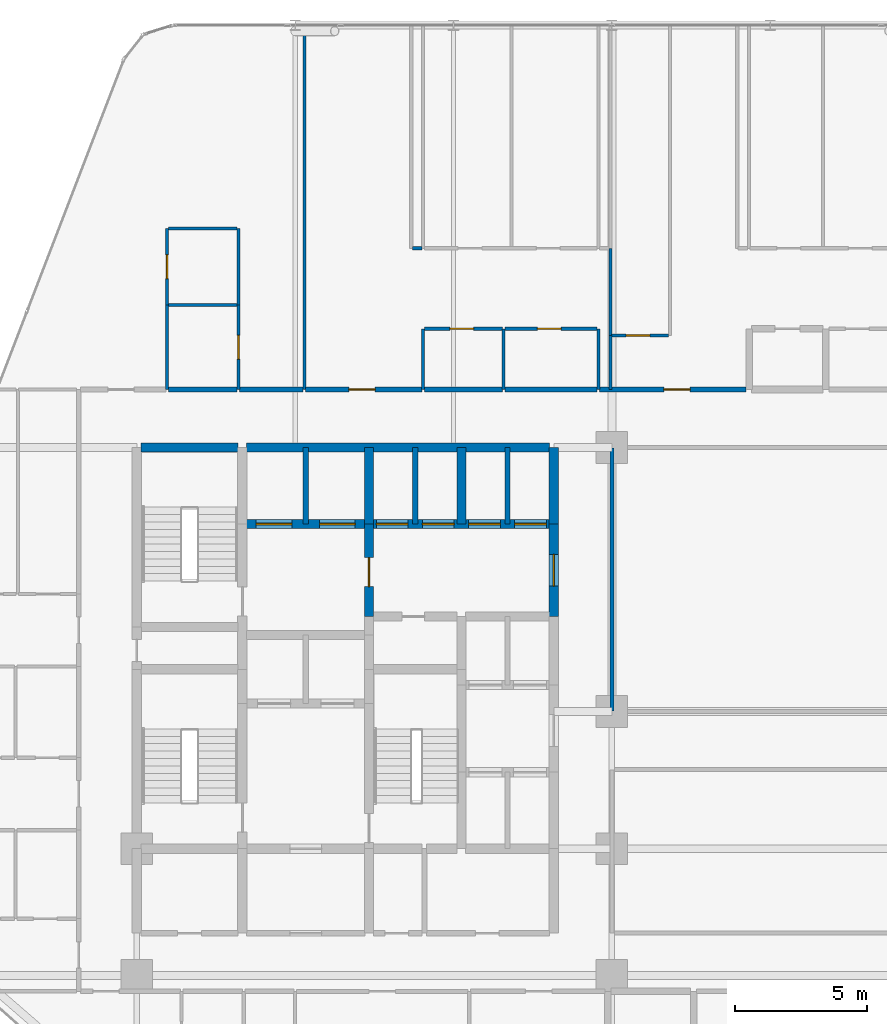
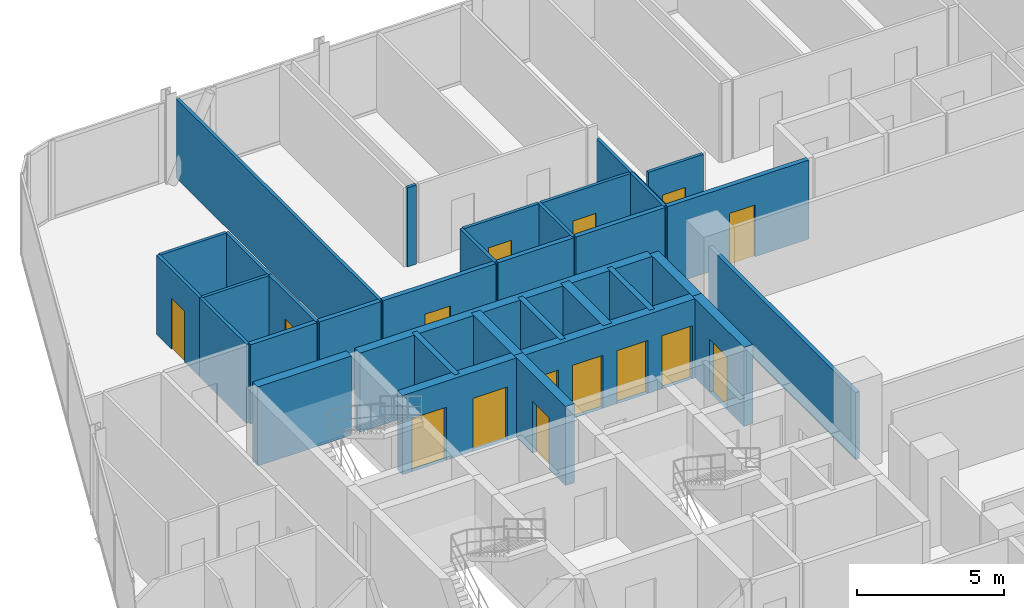
# One storey, part 30 of 33: 34 walls, 15 doors, 15 openings.
"""IFC4 building model written with IfcOpenShell, lengths in metres."""

import ifcopenshell
import ifcopenshell.guid

model = None  # the IFC model being written
_history = None  # IfcOwnerHistory: only IFC2X3 demands one
_inside = {}  # id of a spatial element -> (the spatial element, [elements in it])
_under = {}  # id of a project, library or spatial element -> (it, [spatial elements below it])
_declared = {}  # id of a project -> (the project, [libraries it declares])
_typed = {}  # id of a type object -> (the type object, [elements of that type])
_made_of = {}  # id of a material, layer set ... -> (it, [elements and type objects made of it])


def new_model(schema):
    """Start an empty IFC model of exactly this schema.

    Asked for "IFC4X3", IfcOpenShell would pick the latest addendum, in which some entities
    have other attributes; the version numbers below select the first issue.
    IFC2X3 requires an IfcOwnerHistory on every rooted entity: one is made here for all.
    """
    global model, _history
    if schema == "IFC4X3":
        model = ifcopenshell.file(schema_version=(4, 3, 0, 0))
    else:
        model = ifcopenshell.file(schema=schema)
    _inside.clear()
    _under.clear()
    _declared.clear()
    _typed.clear()
    _made_of.clear()
    _history = None
    if model.schema == "IFC2X3":
        org = make("IfcOrganization", Name="unknown")
        user = make(
            "IfcPersonAndOrganization",
            ThePerson=make("IfcPerson", FamilyName="unknown"),
            TheOrganization=org,
        )
        app = make(
            "IfcApplication",
            ApplicationDeveloper=org,
            Version="unknown",
            ApplicationFullName="unknown",
            ApplicationIdentifier="unknown",
        )
        _history = make(
            "IfcOwnerHistory",
            OwningUser=user,
            OwningApplication=app,
            ChangeAction="ADDED",
            CreationDate=0,
        )
    return model


def make(cls, **values):
    """One entity of the class cls with the attributes given. An attribute that is None is left unset."""
    return model.create_entity(
        cls, **{name: value for name, value in values.items() if value is not None}
    )


def rooted(cls, **values):
    """An entity with a GlobalId (a new one), such as an element, a storey or a relation."""
    return make(cls, GlobalId=ifcopenshell.guid.new(), OwnerHistory=_history, **values)


def si_unit(unit_type, name, prefix=None):
    """IfcSIUnit, for example si_unit("LENGTHUNIT", "METRE", prefix="MILLI")."""
    return make("IfcSIUnit", UnitType=unit_type, Prefix=prefix, Name=name)


def assignment(units):
    """IfcUnitAssignment: the units of a project."""
    return None if units is None else make("IfcUnitAssignment", Units=units)


def point(xyz):
    """IfcCartesianPoint."""
    return None if xyz is None else make("IfcCartesianPoint", Coordinates=xyz)


def direction(xyz):
    """IfcDirection."""
    return None if xyz is None else make("IfcDirection", DirectionRatios=xyz)


def frame(location, z_axis=None, x_axis=None):
    """IfcAxis2Placement3D, a coordinate frame: its origin and axes. An axis left out is left unset."""
    return make(
        "IfcAxis2Placement3D",
        Location=point(location),
        Axis=direction(z_axis),
        RefDirection=direction(x_axis),
    )


def frame_2d(location, x_axis=None):
    """IfcAxis2Placement2D, a coordinate frame in the plane: its origin and x axis."""
    return make(
        "IfcAxis2Placement2D", Location=point(location), RefDirection=direction(x_axis)
    )


def origin():
    """The frame at (0, 0, 0) with its axes left unset."""
    return frame((0.0, 0.0, 0.0))


def place(relative_to, where):
    """IfcLocalPlacement: puts the frame where relative to a parent placement (None: the world)."""
    return make(
        "IfcLocalPlacement", PlacementRelTo=relative_to, RelativePlacement=where
    )


def context(
    kind, dimensions, precision=None, world=None, true_north=None, identifier=None
):
    """IfcGeometricRepresentationContext, for example the 3D "Model" context."""
    return make(
        "IfcGeometricRepresentationContext",
        ContextIdentifier=identifier,
        ContextType=kind,
        CoordinateSpaceDimension=dimensions,
        Precision=precision,
        WorldCoordinateSystem=world,
        TrueNorth=true_north,
    )


def subcontext(parent, identifier, kind, view, scale=None):
    """IfcGeometricRepresentationSubContext, for example "Body" below "Model"."""
    return make(
        "IfcGeometricRepresentationSubContext",
        ContextIdentifier=identifier,
        ContextType=kind,
        ParentContext=parent,
        TargetScale=scale,
        TargetView=view,
    )


def project(units=None, contexts=None):
    """IfcProject with its units and contexts."""
    return rooted(
        "IfcProject",
        Name="project",
        RepresentationContexts=contexts,
        UnitsInContext=assignment(units),
    )


def spatial(cls, under=None, at=None, **own):
    """A site, building, storey or space (cls), placed at a placement, below another one or the project."""
    s = rooted(cls, ObjectPlacement=at, **own)
    if under is not None:
        _under.setdefault(under.id(), (under, []))[1].append(s)
    return s


def profile(cls, at=None, kind="AREA", **sizes):
    """A parametric profile (cls). Its sizes go by their IFC names, for example OverallWidth=200.0."""
    return make(cls, ProfileType=kind, Position=at, **sizes)


def rectangle(**sizes):
    """IfcRectangleProfileDef."""
    return profile("IfcRectangleProfileDef", **sizes)


def extrude(swept, where, along, depth):
    """IfcExtrudedAreaSolid: the profile swept, set in the frame where, extruded along a direction by depth."""
    return make(
        "IfcExtrudedAreaSolid",
        SweptArea=swept,
        Position=where,
        ExtrudedDirection=direction(along),
        Depth=depth,
    )


def shape(context_of_items, identifier, shape_type, items):
    """IfcShapeRepresentation: the items that make up one representation, for example the "Body"."""
    return make(
        "IfcShapeRepresentation",
        ContextOfItems=context_of_items,
        RepresentationIdentifier=identifier,
        RepresentationType=shape_type,
        Items=items,
    )


def material(Name=None, Category=None):
    """IfcMaterial."""
    return make("IfcMaterial", Name=Name, Category=Category)


def layer(
    of_material, thickness, ventilated=None, Name=None, Category=None, Priority=None
):
    """IfcMaterialLayer: one layer of a wall or slab, of a material (None: an air gap)."""
    return make(
        "IfcMaterialLayer",
        Material=of_material,
        LayerThickness=thickness,
        IsVentilated=ventilated,
        Name=Name,
        Category=Category,
        Priority=Priority,
    )


def layer_set(layers, Name=None):
    """IfcMaterialLayerSet."""
    return make("IfcMaterialLayerSet", MaterialLayers=layers, LayerSetName=Name)


def made_of(thing, what):
    """Note that an element or type object is made of a material, layer set ...; save() writes the relation."""
    if what is not None:
        _made_of.setdefault(what.id(), (what, []))[1].append(thing)
    return thing


def type_object(cls, material=None, **own):
    """A type object (cls), such as IfcWallType, which elements share."""
    return made_of(rooted(cls, **own), material)


def element(
    cls,
    number,
    at=None,
    inside=None,
    cuts=None,
    type_object=None,
    material=None,
    context=None,
    identifier="Body",
    shape_type=None,
    held_by="IfcProductDefinitionShape",
    body=None,
    shapes=None,
    **own,
):
    """One element of the class cls, such as IfcWall. Its Tag is "e" and its number.

    at: its placement. inside: the storey or other place that contains it. cuts: it is an
    opening in that element (IfcRelVoidsElement). A single representation is given by context,
    identifier, shape_type and body (its items); several are given by shapes. held_by: the class
    of the entity that holds the representations. save() writes the other relations.
    """
    e = rooted(cls, Tag="e%d" % number, ObjectPlacement=at, **own)
    if body is not None:
        shapes = [shape(context, identifier, shape_type, body)]
    if shapes is not None:
        e.Representation = make(held_by, Representations=shapes)
    if inside is not None:
        _inside.setdefault(inside.id(), (inside, []))[1].append(e)
    if cuts is not None:
        rooted(
            "IfcRelVoidsElement", RelatingBuildingElement=cuts, RelatedOpeningElement=e
        )
    if type_object is not None:
        _typed.setdefault(type_object.id(), (type_object, []))[1].append(e)
    return made_of(e, material)


def fill(opening, filler):
    """IfcRelFillsElement: the door or window that sits in an opening."""
    return rooted(
        "IfcRelFillsElement",
        RelatingOpeningElement=opening,
        RelatedBuildingElement=filler,
    )


def aggregate(whole, parts):
    """IfcRelAggregates: a whole, such as a stair, and the parts it consists of."""
    return rooted("IfcRelAggregates", RelatingObject=whole, RelatedObjects=parts)


def save(model, path):
    """Write the relations noted so far, then the file.

    IfcRelAggregates (storeys below a building ...), IfcRelContainedInSpatialStructure (elements
    in a storey), IfcRelDefinesByType, IfcRelAssociatesMaterial and IfcRelDeclares: one each for
    every whole, place, type object, material and project.
    """
    for whole, parts in _under.values():
        aggregate(whole, parts)
    for where, things in _inside.values():
        rooted(
            "IfcRelContainedInSpatialStructure",
            RelatedElements=things,
            RelatingStructure=where,
        )
    for kind, things in _typed.values():
        rooted("IfcRelDefinesByType", RelatedObjects=things, RelatingType=kind)
    for what, things in _made_of.values():
        rooted("IfcRelAssociatesMaterial", RelatedObjects=things, RelatingMaterial=what)
    for by, libraries in _declared.values():
        rooted("IfcRelDeclares", RelatingContext=by, RelatedDefinitions=libraries)
    model.write(path)


model = new_model("IFC4")

# Units and contexts
model_context = context("Model", 3, precision=1e-05, world=origin(), true_north=direction((0.0, 1.0)))
body_context = subcontext(model_context, "Body", "Model", "MODEL_VIEW")
ifc_project = project(units=[si_unit("LENGTHUNIT", "METRE"), si_unit("AREAUNIT", "SQUARE_METRE"), si_unit("VOLUMEUNIT", "CUBIC_METRE"), si_unit("PLANEANGLEUNIT", "RADIAN"), si_unit("MASSUNIT", "GRAM", prefix="KILO")], contexts=[model_context])

# Site, building, storey
site_placement = place(None, origin())
site = spatial("IfcSite", under=ifc_project, at=site_placement, CompositionType="ELEMENT")
building_placement = place(site_placement, origin())
building = spatial("IfcBuilding", under=site, at=building_placement, Name="Keshet Zoharim Tower", CompositionType="ELEMENT")
storey_placement = place(building_placement, frame((0.0, 0.0, 57.300048828125)))
storey = spatial("IfcBuildingStorey", under=building, at=storey_placement, Name="L13", CompositionType="ELEMENT", Elevation=57.300048828125)

# Wall
ifc_material_1 = material(Name="Gypsum Plasterboard", Category="gypsum")
ifc_layer_1 = layer(ifc_material_1, 0.14990234375)
ifc_layer_set_1 = layer_set([ifc_layer_1], Name="Gypsum Plasterboard")
wall_type_1 = type_object("IfcWallType", Name="WL-CLIN-150", PredefinedType="STANDARD", material=ifc_layer_set_1)
wall_1_placement = place(storey_placement, frame((33.0, 27.909912109375, 0.0), z_axis=(0.0, 0.0, 1.0), x_axis=(0.0, 1.0, 0.0)))
element("IfcWall", 1, at=wall_1_placement, inside=storey, type_object=wall_type_1, Name="L13 Interior Wall 074", PredefinedType="STANDARD", context=body_context, shape_type="SweptSolid", body=[
    extrude(rectangle(XDim=9.97998046875, YDim=0.14990234375, at=frame_2d((4.989990234375, 0.0))), origin(), (0.0, 0.0, 1.0), 2.780029296875),
])

# Wall, opening, door
ifc_material_2 = material(Name="Concrete C60/75", Category="concrete")
ifc_layer_2 = layer(ifc_material_2, 0.35009765625)
ifc_layer_set_2 = layer_set([ifc_layer_2], Name="Concrete C60/75")
wall_type_2 = type_object("IfcWallType", Name="WL-CORE-350", PredefinedType="SHEAR", material=ifc_layer_set_2)
wall_2_placement = place(storey_placement, frame((23.800048828125, 31.5, 0.0), z_axis=(0.0, 0.0, 1.0), x_axis=(0.0, 1.0, 0.0)))
wall_2 = element("IfcWall", 2, at=wall_2_placement, inside=storey, type_object=wall_type_2, Name="L13 Core Shear Wall 039", PredefinedType="SHEAR", context=body_context, shape_type="SweptSolid", body=[
    extrude(rectangle(XDim=3.5, YDim=0.35009765625, at=frame_2d((1.75, 0.0))), origin(), (0.0, 0.0, 1.0), 3.280029296875),
])
opening_1_placement = place(wall_2_placement, frame((1.126953125, 0.0, 0.0)))
opening_1 = element("IfcOpeningElement", 3, at=opening_1_placement, cuts=wall_2, Name="Opening D-F611", PredefinedType="OPENING", context=body_context, shape_type="SweptSolid", body=[
    extrude(rectangle(XDim=1.10009765625, YDim=2.14990234375, at=frame_2d((0.550048828125, 1.074951171875))), frame((0.0, 0.18505859375, 0.0), z_axis=(0.0, -1.0, 0.0), x_axis=(1.0, 0.0, 0.0)), (0.0, 0.0, 1.0), 0.3701171875),
])
ifc_material_3 = material(Name="Hardwood Timber", Category="wood")
door_type_1 = type_object("IfcDoorType", Name="DR-FD60-110", OperationType="NOTDEFINED", PredefinedType="DOOR", material=ifc_material_3)
door_1_placement = place(opening_1_placement, origin())
door_1 = element("IfcDoor", 4, at=door_1_placement, inside=storey, type_object=door_type_1, Name="L13 Firefighting Lobby Fire Door", OperationType="SINGLE_SWING_RIGHT", OverallHeight=2.14990234375, OverallWidth=1.10009765625, PredefinedType="DOOR", context=body_context, shape_type="SweptSolid", body=[
    extrude(rectangle(XDim=1.10009765625, YDim=2.14990234375, at=frame_2d((0.550048828125, 1.074951171875))), frame((0.0, 0.02490234375, 0.0), z_axis=(0.0, -1.0, 0.0), x_axis=(1.0, 0.0, 0.0)), (0.0, 0.0, 1.0), 0.050048828125),
])
fill(opening_1, door_1)

# Walls
for number, where, z_axis, x_axis, name in (
    (5, (23.800048828125, 35.0, 0.0), (0.0, 0.0, 1.0), (0.0, 1.0, 0.0), "L13 Core Shear Wall 040"),
    (6, (27.300048828125, 35.0, 0.0), (0.0, 0.0, 1.0), (0.0, 1.0, 0.0), "L13 Core Shear Wall 050"),
):
    element("IfcWall", number, at=place(storey_placement, frame(where, z_axis=z_axis, x_axis=x_axis)), inside=storey, type_object=wall_type_2, Name=name, PredefinedType="SHEAR", context=body_context, shape_type="SweptSolid", body=[
        extrude(rectangle(XDim=2.89990234375, YDim=0.35009765625, at=frame_2d((1.449951171875, 0.0))), origin(), (0.0, 0.0, 1.0), 3.280029296875),
    ])

# Wall, opening, door
wall_3_placement = place(storey_placement, frame((30.800048828125, 31.5, 0.0), z_axis=(0.0, 0.0, 1.0), x_axis=(0.0, 1.0, 0.0)))
wall_3 = element("IfcWall", 7, at=wall_3_placement, inside=storey, type_object=wall_type_2, Name="L13 Core Shear Wall 063", PredefinedType="SHEAR", context=body_context, shape_type="SweptSolid", body=[
    extrude(rectangle(XDim=3.5, YDim=0.35009765625, at=frame_2d((1.75, 0.0))), origin(), (0.0, 0.0, 1.0), 3.280029296875),
])
opening_2_placement = place(wall_3_placement, frame((1.14990234375, 0.0, 0.0)))
opening_2 = element("IfcOpeningElement", 8, at=opening_2_placement, cuts=wall_3, Name="Opening D-F612", PredefinedType="OPENING", context=body_context, shape_type="SweptSolid", body=[
    extrude(rectangle(XDim=1.199951171875, YDim=2.199951171875, at=frame_2d((0.60009765625, 1.10009765625))), frame((0.0, 0.18505859375, 0.0), z_axis=(0.0, -1.0, 0.0), x_axis=(1.0, 0.0, 0.0)), (0.0, 0.0, 1.0), 0.3701171875),
])
door_type_2 = type_object("IfcDoorType", Name="DR-FD60-120", OperationType="NOTDEFINED", PredefinedType="DOOR", material=ifc_material_3)
door_2_placement = place(opening_2_placement, origin())
door_2 = element("IfcDoor", 9, at=door_2_placement, inside=storey, type_object=door_type_2, Name="L13 North Lift Lobby East Fire Door", OperationType="SINGLE_SWING_RIGHT", OverallHeight=2.199951171875, OverallWidth=1.199951171875, PredefinedType="DOOR", context=body_context, shape_type="SweptSolid", body=[
    extrude(rectangle(XDim=1.199951171875, YDim=2.199951171875, at=frame_2d((0.60009765625, 1.10009765625))), frame((0.0, 0.02490234375, 0.0), z_axis=(0.0, -1.0, 0.0), x_axis=(1.0, 0.0, 0.0)), (0.0, 0.0, 1.0), 0.050048828125),
])
fill(opening_2, door_2)

# Wall
wall_4_placement = place(storey_placement, frame((30.800048828125, 35.0, 0.0), z_axis=(0.0, 0.0, 1.0), x_axis=(0.0, 1.0, 0.0)))
element("IfcWall", 10, at=wall_4_placement, inside=storey, type_object=wall_type_2, Name="L13 Core Shear Wall 064", PredefinedType="SHEAR", context=body_context, shape_type="SweptSolid", body=[
    extrude(rectangle(XDim=2.89990234375, YDim=0.35009765625, at=frame_2d((1.449951171875, 0.0))), origin(), (0.0, 0.0, 1.0), 3.280029296875),
])

# Wall, openings, doors
wall_5_placement = place(storey_placement, frame((19.159912109375, 35.0, 0.0), z_axis=(0.0, 0.0, 1.0), x_axis=(1.0, 0.0, 0.0)))
wall_5 = element("IfcWall", 11, at=wall_5_placement, inside=storey, type_object=wall_type_2, Name="L13 Core Shear Wall 198", PredefinedType="SHEAR", context=body_context, shape_type="SweptSolid", body=[
    extrude(rectangle(XDim=11.47998046875, YDim=0.35009765625, at=frame_2d((5.739990234375, 0.0))), origin(), (0.0, 0.0, 1.0), 3.280029296875),
])
opening_3_placement = place(wall_5_placement, frame((0.364990234375, 0.0, 0.0)))
opening_3 = element("IfcOpeningElement", 12, at=opening_3_placement, cuts=wall_5, Name="Opening LD-02", PredefinedType="OPENING", context=body_context, shape_type="SweptSolid", body=[
    extrude(rectangle(XDim=1.35009765625, YDim=2.199951171875, at=frame_2d((0.675048828125, 1.10009765625))), frame((0.0, 0.18505859375, 0.0), z_axis=(0.0, -1.0, 0.0), x_axis=(1.0, 0.0, 0.0)), (0.0, 0.0, 1.0), 0.3701171875),
])
opening_4_placement = place(wall_5_placement, frame((2.764892578125, 0.0, 0.0)))
opening_4 = element("IfcOpeningElement", 13, at=opening_4_placement, cuts=wall_5, Name="Opening LD-02", PredefinedType="OPENING", context=body_context, shape_type="SweptSolid", body=[
    extrude(rectangle(XDim=1.35009765625, YDim=2.199951171875, at=frame_2d((0.675048828125, 1.10009765625))), frame((0.0, 0.18505859375, 0.0), z_axis=(0.0, -1.0, 0.0), x_axis=(1.0, 0.0, 0.0)), (0.0, 0.0, 1.0), 0.3701171875),
])
opening_5_placement = place(wall_5_placement, frame((4.9150390625, 0.0, 0.0)))
opening_5 = element("IfcOpeningElement", 14, at=opening_5_placement, cuts=wall_5, Name="Opening LD-03", PredefinedType="OPENING", context=body_context, shape_type="SweptSolid", body=[
    extrude(rectangle(XDim=1.199951171875, YDim=2.199951171875, at=frame_2d((0.60009765625, 1.10009765625))), frame((0.0, 0.18505859375, 0.0), z_axis=(0.0, -1.0, 0.0), x_axis=(1.0, 0.0, 0.0)), (0.0, 0.0, 1.0), 0.3701171875),
])
opening_6_placement = place(wall_5_placement, frame((6.6650390625, 0.0, 0.0)))
opening_6 = element("IfcOpeningElement", 15, at=opening_6_placement, cuts=wall_5, Name="Opening LD-03", PredefinedType="OPENING", context=body_context, shape_type="SweptSolid", body=[
    extrude(rectangle(XDim=1.199951171875, YDim=2.199951171875, at=frame_2d((0.60009765625, 1.10009765625))), frame((0.0, 0.18505859375, 0.0), z_axis=(0.0, -1.0, 0.0), x_axis=(1.0, 0.0, 0.0)), (0.0, 0.0, 1.0), 0.3701171875),
])
opening_7_placement = place(wall_5_placement, frame((8.4150390625, 0.0, 0.0)))
opening_7 = element("IfcOpeningElement", 16, at=opening_7_placement, cuts=wall_5, Name="Opening LD-03", PredefinedType="OPENING", context=body_context, shape_type="SweptSolid", body=[
    extrude(rectangle(XDim=1.199951171875, YDim=2.199951171875, at=frame_2d((0.60009765625, 1.10009765625))), frame((0.0, 0.18505859375, 0.0), z_axis=(0.0, -1.0, 0.0), x_axis=(1.0, 0.0, 0.0)), (0.0, 0.0, 1.0), 0.3701171875),
])
opening_8_placement = place(wall_5_placement, frame((10.159912109375, 0.0, 0.0)))
opening_8 = element("IfcOpeningElement", 17, at=opening_8_placement, cuts=wall_5, Name="Opening LD-03", PredefinedType="OPENING", context=body_context, shape_type="SweptSolid", body=[
    extrude(rectangle(XDim=1.199951171875, YDim=2.199951171875, at=frame_2d((0.60009765625, 1.10009765625))), frame((0.0, 0.18505859375, 0.0), z_axis=(0.0, -1.0, 0.0), x_axis=(1.0, 0.0, 0.0)), (0.0, 0.0, 1.0), 0.3701171875),
])
ifc_material_4 = material(Name="Steel S355", Category="steel")
door_type_3 = type_object("IfcDoorType", Name="DR-LD02-135", OperationType="DOUBLE_DOOR_SLIDING", PredefinedType="DOOR", material=ifc_material_4)
door_3_placement = place(opening_3_placement, origin())
door_3 = element("IfcDoor", 18, at=door_3_placement, inside=storey, type_object=door_type_3, Name="L13 Firefighting Lift Landing Door FF-01", OperationType="DOUBLE_DOOR_SLIDING", OverallHeight=2.199951171875, OverallWidth=1.35009765625, PredefinedType="DOOR", context=body_context, shape_type="SweptSolid", body=[
    extrude(rectangle(XDim=1.35009765625, YDim=2.199951171875, at=frame_2d((0.675048828125, 1.10009765625))), frame((0.0, 0.02490234375, 0.0), z_axis=(0.0, -1.0, 0.0), x_axis=(1.0, 0.0, 0.0)), (0.0, 0.0, 1.0), 0.050048828125),
])
fill(opening_3, door_3)
door_4_placement = place(opening_4_placement, origin())
door_4 = element("IfcDoor", 19, at=door_4_placement, inside=storey, type_object=door_type_3, Name="L13 Firefighting Lift Landing Door FF-02", OperationType="DOUBLE_DOOR_SLIDING", OverallHeight=2.199951171875, OverallWidth=1.35009765625, PredefinedType="DOOR", context=body_context, shape_type="SweptSolid", body=[
    extrude(rectangle(XDim=1.35009765625, YDim=2.199951171875, at=frame_2d((0.675048828125, 1.10009765625))), frame((0.0, 0.02490234375, 0.0), z_axis=(0.0, -1.0, 0.0), x_axis=(1.0, 0.0, 0.0)), (0.0, 0.0, 1.0), 0.050048828125),
])
fill(opening_4, door_4)
door_type_4 = type_object("IfcDoorType", Name="DR-LD03-120", OperationType="DOUBLE_DOOR_SLIDING", PredefinedType="DOOR", material=ifc_material_4)
door_5_placement = place(opening_5_placement, origin())
door_5 = element("IfcDoor", 20, at=door_5_placement, inside=storey, type_object=door_type_4, Name="L13 Passenger Lift Landing Door LF-01", OperationType="DOUBLE_DOOR_SLIDING", OverallHeight=2.199951171875, OverallWidth=1.199951171875, PredefinedType="DOOR", context=body_context, shape_type="SweptSolid", body=[
    extrude(rectangle(XDim=1.199951171875, YDim=2.199951171875, at=frame_2d((0.60009765625, 1.10009765625))), frame((0.0, 0.02490234375, 0.0), z_axis=(0.0, -1.0, 0.0), x_axis=(1.0, 0.0, 0.0)), (0.0, 0.0, 1.0), 0.050048828125),
])
fill(opening_5, door_5)
door_6_placement = place(opening_6_placement, origin())
door_6 = element("IfcDoor", 21, at=door_6_placement, inside=storey, type_object=door_type_4, Name="L13 Passenger Lift Landing Door LF-02", OperationType="DOUBLE_DOOR_SLIDING", OverallHeight=2.199951171875, OverallWidth=1.199951171875, PredefinedType="DOOR", context=body_context, shape_type="SweptSolid", body=[
    extrude(rectangle(XDim=1.199951171875, YDim=2.199951171875, at=frame_2d((0.60009765625, 1.10009765625))), frame((0.0, 0.02490234375, 0.0), z_axis=(0.0, -1.0, 0.0), x_axis=(1.0, 0.0, 0.0)), (0.0, 0.0, 1.0), 0.050048828125),
])
fill(opening_6, door_6)
door_7_placement = place(opening_7_placement, origin())
door_7 = element("IfcDoor", 22, at=door_7_placement, inside=storey, type_object=door_type_4, Name="L13 Passenger Lift Landing Door LF-03", OperationType="DOUBLE_DOOR_SLIDING", OverallHeight=2.199951171875, OverallWidth=1.199951171875, PredefinedType="DOOR", context=body_context, shape_type="SweptSolid", body=[
    extrude(rectangle(XDim=1.199951171875, YDim=2.199951171875, at=frame_2d((0.60009765625, 1.10009765625))), frame((0.0, 0.02490234375, 0.0), z_axis=(0.0, -1.0, 0.0), x_axis=(1.0, 0.0, 0.0)), (0.0, 0.0, 1.0), 0.050048828125),
])
fill(opening_7, door_7)
door_8_placement = place(opening_8_placement, origin())
door_8 = element("IfcDoor", 23, at=door_8_placement, inside=storey, type_object=door_type_4, Name="L13 Passenger Lift Landing Door LF-04", OperationType="DOUBLE_DOOR_SLIDING", OverallHeight=2.199951171875, OverallWidth=1.199951171875, PredefinedType="DOOR", context=body_context, shape_type="SweptSolid", body=[
    extrude(rectangle(XDim=1.199951171875, YDim=2.199951171875, at=frame_2d((0.60009765625, 1.10009765625))), frame((0.0, 0.02490234375, 0.0), z_axis=(0.0, -1.0, 0.0), x_axis=(1.0, 0.0, 0.0)), (0.0, 0.0, 1.0), 0.050048828125),
])
fill(opening_8, door_8)

# Walls
wall_6_placement = place(storey_placement, frame((15.159912109375, 37.89990234375, 0.0), z_axis=(0.0, 0.0, 1.0), x_axis=(1.0, 0.0, 0.0)))
element("IfcWall", 24, at=wall_6_placement, inside=storey, type_object=wall_type_2, Name="L13 Core Shear Wall 199", PredefinedType="SHEAR", context=body_context, shape_type="SweptSolid", body=[
    extrude(rectangle(XDim=3.68017578125, YDim=0.35009765625, at=frame_2d((1.840087890625, 0.0))), origin(), (0.0, 0.0, 1.0), 3.280029296875),
])
wall_7_placement = place(storey_placement, frame((19.159912109375, 37.89990234375, 0.0), z_axis=(0.0, 0.0, 1.0), x_axis=(1.0, 0.0, 0.0)))
element("IfcWall", 25, at=wall_7_placement, inside=storey, type_object=wall_type_2, Name="L13 Core Shear Wall 200", PredefinedType="SHEAR", context=body_context, shape_type="SweptSolid", body=[
    extrude(rectangle(XDim=11.47998046875, YDim=0.35009765625, at=frame_2d((5.739990234375, 0.0))), origin(), (0.0, 0.0, 1.0), 3.280029296875),
])
ifc_layer_3 = layer(ifc_material_1, 0.179931640625)
ifc_layer_set_3 = layer_set([ifc_layer_3], Name="Gypsum Plasterboard")
wall_type_3 = type_object("IfcWallType", Name="WL-CORR-180", PredefinedType="STANDARD", material=ifc_layer_set_3)
wall_8_placement = place(storey_placement, frame((16.195068359375, 40.10009765625, 0.0), z_axis=(0.0, 0.0, 1.0), x_axis=(1.0, 0.0, 0.0)))
element("IfcWall", 26, at=wall_8_placement, inside=storey, type_object=wall_type_3, Name="L13 Interior Wall 205", PredefinedType="STANDARD", context=body_context, shape_type="SweptSolid", body=[
    extrude(rectangle(XDim=2.60986328125, YDim=0.179931640625, at=frame_2d((1.304931640625, 0.0))), origin(), (0.0, 0.0, 1.0), 3.280029296875),
])
wall_9_placement = place(storey_placement, frame((18.89501953125, 40.10009765625, 0.0), z_axis=(0.0, 0.0, 1.0), x_axis=(1.0, 0.0, 0.0)))
element("IfcWall", 27, at=wall_9_placement, inside=storey, type_object=wall_type_3, Name="L13 Interior Wall 206", PredefinedType="STANDARD", context=body_context, shape_type="SweptSolid", body=[
    extrude(rectangle(XDim=2.409912109375, YDim=0.179931640625, at=frame_2d((1.205078125, 0.0))), origin(), (0.0, 0.0, 1.0), 3.280029296875),
])

# Wall, opening, door
wall_10_placement = place(storey_placement, frame((21.39501953125, 40.10009765625, 0.0), z_axis=(0.0, 0.0, 1.0), x_axis=(1.0, 0.0, 0.0)))
wall_10 = element("IfcWall", 28, at=wall_10_placement, inside=storey, type_object=wall_type_3, Name="L13 Interior Wall 207", PredefinedType="STANDARD", context=body_context, shape_type="SweptSolid", body=[
    extrude(rectangle(XDim=4.419921875, YDim=0.179931640625, at=frame_2d((2.2099609375, 0.0))), origin(), (0.0, 0.0, 1.0), 3.280029296875),
])
opening_9_placement = place(wall_10_placement, frame((1.637939453125, 0.0, 0.0)))
opening_9 = element("IfcOpeningElement", 29, at=opening_9_placement, cuts=wall_10, Name="Opening D-F310", PredefinedType="OPENING", context=body_context, shape_type="SweptSolid", body=[
    extrude(rectangle(XDim=1.0, YDim=2.14990234375, at=frame_2d((0.5, 1.074951171875))), frame((0.0, 0.10009765625, 0.0), z_axis=(0.0, -1.0, 0.0), x_axis=(1.0, 0.0, 0.0)), (0.0, 0.0, 1.0), 0.199951171875),
])
door_type_5 = type_object("IfcDoorType", Name="DR-FD30-100", OperationType="NOTDEFINED", PredefinedType="DOOR", material=ifc_material_3)
door_9_placement = place(opening_9_placement, origin())
door_9 = element("IfcDoor", 30, at=door_9_placement, inside=storey, type_object=door_type_5, Name="Apartment 1306 Entrance Door", OperationType="SINGLE_SWING_RIGHT", OverallHeight=2.14990234375, OverallWidth=1.0, PredefinedType="DOOR", context=body_context, shape_type="SweptSolid", body=[
    extrude(rectangle(XDim=1.0, YDim=2.14990234375, at=frame_2d((0.5, 1.074951171875))), frame((0.0, 0.02490234375, 0.0), z_axis=(0.0, -1.0, 0.0), x_axis=(1.0, 0.0, 0.0)), (0.0, 0.0, 1.0), 0.050048828125),
])
fill(opening_9, door_9)

# Walls
wall_11_placement = place(storey_placement, frame((25.905029296875, 40.10009765625, 0.0), z_axis=(0.0, 0.0, 1.0), x_axis=(1.0, 0.0, 0.0)))
element("IfcWall", 31, at=wall_11_placement, inside=storey, type_object=wall_type_3, Name="L13 Interior Wall 208", PredefinedType="STANDARD", context=body_context, shape_type="SweptSolid", body=[
    extrude(rectangle(XDim=2.9599609375, YDim=0.179931640625, at=frame_2d((1.47998046875, 0.0))), origin(), (0.0, 0.0, 1.0), 3.280029296875),
])
wall_12_placement = place(storey_placement, frame((28.955078125, 40.10009765625, 0.0), z_axis=(0.0, 0.0, 1.0), x_axis=(1.0, 0.0, 0.0)))
element("IfcWall", 32, at=wall_12_placement, inside=storey, type_object=wall_type_3, Name="L13 Interior Wall 209", PredefinedType="STANDARD", context=body_context, shape_type="SweptSolid", body=[
    extrude(rectangle(XDim=3.489990234375, YDim=0.179931640625, at=frame_2d((1.7451171875, 0.0))), origin(), (0.0, 0.0, 1.0), 3.280029296875),
])

# Wall, opening, door
wall_13_placement = place(storey_placement, frame((32.534912109375, 40.10009765625, 0.0), z_axis=(0.0, 0.0, 1.0), x_axis=(1.0, 0.0, 0.0)))
wall_13 = element("IfcWall", 33, at=wall_13_placement, inside=storey, type_object=wall_type_3, Name="L13 Interior Wall 210", PredefinedType="STANDARD", context=body_context, shape_type="SweptSolid", body=[
    extrude(rectangle(XDim=5.545166015625, YDim=0.179931640625, at=frame_2d((2.7724609375, 0.0))), origin(), (0.0, 0.0, 1.0), 3.280029296875),
])
opening_10_placement = place(wall_13_placement, frame((2.43505859375, 0.0, 0.0)))
opening_10 = element("IfcOpeningElement", 34, at=opening_10_placement, cuts=wall_13, Name="Opening D-F310", PredefinedType="OPENING", context=body_context, shape_type="SweptSolid", body=[
    extrude(rectangle(XDim=1.0, YDim=2.14990234375, at=frame_2d((0.5, 1.074951171875))), frame((0.0, 0.10009765625, 0.0), z_axis=(0.0, -1.0, 0.0), x_axis=(1.0, 0.0, 0.0)), (0.0, 0.0, 1.0), 0.199951171875),
])
door_10_placement = place(opening_10_placement, origin())
door_10 = element("IfcDoor", 35, at=door_10_placement, inside=storey, type_object=door_type_5, Name="Apartment 1307 Entrance Door", OperationType="SINGLE_SWING_LEFT", OverallHeight=2.14990234375, OverallWidth=1.0, PredefinedType="DOOR", context=body_context, shape_type="SweptSolid", body=[
    extrude(rectangle(XDim=1.0, YDim=2.14990234375, at=frame_2d((0.5, 1.074951171875))), frame((0.0, 0.02490234375, 0.0), z_axis=(0.0, -1.0, 0.0), x_axis=(1.0, 0.0, 0.0)), (0.0, 0.0, 1.0), 0.050048828125),
])
fill(opening_10, door_10)

# Walls
ifc_material_5 = material(Name="Concrete C50/60", Category="concrete")
ifc_layer_4 = layer(ifc_material_5, 0.199951171875)
ifc_layer_set_4 = layer_set([ifc_layer_4], Name="Concrete C50/60")
wall_type_4 = type_object("IfcWallType", Name="WL-FIRE-200", PredefinedType="STANDARD", material=ifc_layer_set_4)
for number, where, z_axis, x_axis, name in (
    (36, (21.39990234375, 35.0, 0.0), (0.0, 0.0, 1.0), (0.0, 1.0, 0.0), "L13 Interior Wall 033"),
    (37, (25.550048828125, 35.0, 0.0), (0.0, 0.0, 1.0), (0.0, 1.0, 0.0), "L13 Interior Wall 042"),
    (38, (29.050048828125, 35.0, 0.0), (0.0, 0.0, 1.0), (0.0, 1.0, 0.0), "L13 Interior Wall 056"),
):
    element("IfcWall", number, at=place(storey_placement, frame(where, z_axis=z_axis, x_axis=x_axis)), inside=storey, type_object=wall_type_4, Name=name, PredefinedType="STANDARD", context=body_context, shape_type="SweptSolid", body=[
        extrude(rectangle(XDim=2.89990234375, YDim=0.199951171875, at=frame_2d((1.449951171875, 0.0))), origin(), (0.0, 0.0, 1.0), 3.280029296875),
    ])
ifc_layer_5 = layer(ifc_material_1, 0.1201171875)
ifc_layer_set_5 = layer_set([ifc_layer_5], Name="Gypsum Plasterboard")
wall_type_5 = type_object("IfcWallType", Name="WL-PART-120", PredefinedType="PARTITIONING", material=ifc_layer_set_5)
wall_14_placement = place(storey_placement, frame((16.14990234375, 40.10009765625, 0.0), z_axis=(0.0, 0.0, 1.0), x_axis=(0.0, 1.0, 0.0)))
element("IfcWall", 39, at=wall_14_placement, inside=storey, type_object=wall_type_5, Name="L13 Interior Wall 017", PredefinedType="PARTITIONING", context=body_context, shape_type="SweptSolid", body=[
    extrude(rectangle(XDim=3.199951171875, YDim=0.1201171875, at=frame_2d((1.60009765625, 0.0))), origin(), (0.0, 0.0, 1.0), 3.280029296875),
])

# Wall, opening, door
wall_15_placement = place(storey_placement, frame((18.85009765625, 40.10009765625, 0.0), z_axis=(0.0, 0.0, 1.0), x_axis=(0.0, 1.0, 0.0)))
wall_15 = element("IfcWall", 40, at=wall_15_placement, inside=storey, type_object=wall_type_5, Name="L13 Interior Wall 021", PredefinedType="PARTITIONING", context=body_context, shape_type="SweptSolid", body=[
    extrude(rectangle(XDim=3.199951171875, YDim=0.1201171875, at=frame_2d((1.60009765625, 0.0))), origin(), (0.0, 0.0, 1.0), 3.280029296875),
])
opening_11_placement = place(wall_15_placement, frame((1.14990234375, 0.0, 0.0)))
opening_11 = element("IfcOpeningElement", 41, at=opening_11_placement, cuts=wall_15, Name="Opening D-IN90", PredefinedType="OPENING", context=body_context, shape_type="SweptSolid", body=[
    extrude(rectangle(XDim=0.89990234375, YDim=2.14990234375, at=frame_2d((0.449951171875, 1.074951171875))), frame((0.0, 0.070068359375, 0.0), z_axis=(0.0, -1.0, 0.0), x_axis=(1.0, 0.0, 0.0)), (0.0, 0.0, 1.0), 0.14013671875),
])
door_type_6 = type_object("IfcDoorType", Name="DR-INT-090", OperationType="NOTDEFINED", PredefinedType="DOOR", material=ifc_material_3)
door_11_placement = place(opening_11_placement, origin())
door_11 = element("IfcDoor", 42, at=door_11_placement, inside=storey, type_object=door_type_6, Name="Apartment 1305 Kitchenette Door", OperationType="SINGLE_SWING_LEFT", OverallHeight=2.14990234375, OverallWidth=0.89990234375, PredefinedType="DOOR", context=body_context, shape_type="SweptSolid", body=[
    extrude(rectangle(XDim=0.89990234375, YDim=2.14990234375, at=frame_2d((0.449951171875, 1.074951171875))), frame((0.0, 0.02490234375, 0.0), z_axis=(0.0, -1.0, 0.0), x_axis=(1.0, 0.0, 0.0)), (0.0, 0.0, 1.0), 0.050048828125),
])
fill(opening_11, door_11)

# Walls
wall_16_placement = place(storey_placement, frame((21.35009765625, 40.10009765625, 0.0), z_axis=(0.0, 0.0, 1.0), x_axis=(0.0, 1.0, 0.0)))
element("IfcWall", 43, at=wall_16_placement, inside=storey, type_object=wall_type_5, Name="L13 Interior Wall 031", PredefinedType="PARTITIONING", context=body_context, shape_type="SweptSolid", body=[
    extrude(rectangle(XDim=13.789794921875, YDim=0.1201171875, at=frame_2d((6.89501953125, 0.0))), origin(), (0.0, 0.0, 1.0), 3.280029296875),
])
wall_17_placement = place(storey_placement, frame((25.85009765625, 40.10009765625, 0.0), z_axis=(0.0, 0.0, 1.0), x_axis=(0.0, 1.0, 0.0)))
element("IfcWall", 44, at=wall_17_placement, inside=storey, type_object=wall_type_5, Name="L13 Interior Wall 043", PredefinedType="PARTITIONING", context=body_context, shape_type="SweptSolid", body=[
    extrude(rectangle(XDim=2.2998046875, YDim=0.1201171875, at=frame_2d((1.14990234375, 0.0))), origin(), (0.0, 0.0, 1.0), 3.280029296875),
])
wall_18_placement = place(storey_placement, frame((32.949951171875, 40.10009765625, 0.0), z_axis=(0.0, 0.0, 1.0), x_axis=(0.0, 1.0, 0.0)))
element("IfcWall", 45, at=wall_18_placement, inside=storey, type_object=wall_type_5, Name="L13 Interior Wall 070", PredefinedType="PARTITIONING", context=body_context, shape_type="SweptSolid", body=[
    extrude(rectangle(XDim=2.0498046875, YDim=0.1201171875, at=frame_2d((1.02490234375, 0.0))), origin(), (0.0, 0.0, 1.0), 2.679931640625),
])
wall_19_placement = place(storey_placement, frame((32.949951171875, 42.14990234375, 0.0), z_axis=(0.0, 0.0, 1.0), x_axis=(0.0, 1.0, 0.0)))
element("IfcWall", 46, at=wall_19_placement, inside=storey, type_object=wall_type_5, Name="L13 Interior Wall 071", PredefinedType="PARTITIONING", context=body_context, shape_type="SweptSolid", body=[
    extrude(rectangle(XDim=3.300048828125, YDim=0.1201171875, at=frame_2d((1.64990234375, 0.0))), origin(), (0.0, 0.0, 1.0), 2.679931640625),
])

# Wall, opening, door
wall_20_placement = place(storey_placement, frame((32.985107421875, 42.14990234375, 0.0), z_axis=(0.0, 0.0, 1.0), x_axis=(1.0, 0.0, 0.0)))
wall_20 = element("IfcWall", 47, at=wall_20_placement, inside=storey, type_object=wall_type_5, Name="L13 Interior Wall 220", PredefinedType="PARTITIONING", context=body_context, shape_type="SweptSolid", body=[
    extrude(rectangle(XDim=2.159912109375, YDim=0.1201171875, at=frame_2d((1.080078125, 0.0))), origin(), (0.0, 0.0, 1.0), 3.280029296875),
])
opening_12_placement = place(wall_20_placement, frame((0.552978515625, 0.0, 0.0)))
opening_12 = element("IfcOpeningElement", 48, at=opening_12_placement, cuts=wall_20, Name="Opening D-IN90", PredefinedType="OPENING", context=body_context, shape_type="SweptSolid", body=[
    extrude(rectangle(XDim=0.89990234375, YDim=2.14990234375, at=frame_2d((0.449951171875, 1.074951171875))), frame((0.0, 0.070068359375, 0.0), z_axis=(0.0, -1.0, 0.0), x_axis=(1.0, 0.0, 0.0)), (0.0, 0.0, 1.0), 0.14013671875),
])
door_12_placement = place(opening_12_placement, origin())
door_12 = element("IfcDoor", 49, at=door_12_placement, inside=storey, type_object=door_type_6, Name="Apartment 1307 Formal Dining Room Door", OperationType="SINGLE_SWING_LEFT", OverallHeight=2.14990234375, OverallWidth=0.89990234375, PredefinedType="DOOR", context=body_context, shape_type="SweptSolid", body=[
    extrude(rectangle(XDim=0.89990234375, YDim=2.14990234375, at=frame_2d((0.449951171875, 1.074951171875))), frame((0.0, 0.02490234375, 0.0), z_axis=(0.0, -1.0, 0.0), x_axis=(1.0, 0.0, 0.0)), (0.0, 0.0, 1.0), 0.050048828125),
])
fill(opening_12, door_12)

wall_21_placement = place(storey_placement, frame((25.905029296875, 42.39990234375, 0.0), z_axis=(0.0, 0.0, 1.0), x_axis=(1.0, 0.0, 0.0)))
wall_21 = element("IfcWall", 50, at=wall_21_placement, inside=storey, type_object=wall_type_5, Name="L13 Interior Wall 222", PredefinedType="PARTITIONING", context=body_context, shape_type="SweptSolid", body=[
    extrude(rectangle(XDim=2.9599609375, YDim=0.1201171875, at=frame_2d((1.47998046875, 0.0))), origin(), (0.0, 0.0, 1.0), 3.280029296875),
])
opening_13_placement = place(wall_21_placement, frame((0.9560546875, 0.0, 0.0)))
opening_13 = element("IfcOpeningElement", 51, at=opening_13_placement, cuts=wall_21, Name="Opening D-IN90", PredefinedType="OPENING", context=body_context, shape_type="SweptSolid", body=[
    extrude(rectangle(XDim=0.89990234375, YDim=2.14990234375, at=frame_2d((0.449951171875, 1.074951171875))), frame((0.0, 0.070068359375, 0.0), z_axis=(0.0, -1.0, 0.0), x_axis=(1.0, 0.0, 0.0)), (0.0, 0.0, 1.0), 0.14013671875),
])
door_13_placement = place(opening_13_placement, origin())
door_13 = element("IfcDoor", 52, at=door_13_placement, inside=storey, type_object=door_type_6, Name="Apartment 1306 Kitchen Door", OperationType="SINGLE_SWING_LEFT", OverallHeight=2.14990234375, OverallWidth=0.89990234375, PredefinedType="DOOR", context=body_context, shape_type="SweptSolid", body=[
    extrude(rectangle(XDim=0.89990234375, YDim=2.14990234375, at=frame_2d((0.449951171875, 1.074951171875))), frame((0.0, 0.02490234375, 0.0), z_axis=(0.0, -1.0, 0.0), x_axis=(1.0, 0.0, 0.0)), (0.0, 0.0, 1.0), 0.050048828125),
])
fill(opening_13, door_13)

# Wall
wall_22_placement = place(storey_placement, frame((25.455078125, 45.449951171875, 0.0), z_axis=(0.0, 0.0, 1.0), x_axis=(1.0, 0.0, 0.0)))
element("IfcWall", 53, at=wall_22_placement, inside=storey, type_object=wall_type_5, Name="L13 Interior Wall 230", PredefinedType="PARTITIONING", context=body_context, shape_type="SweptSolid", body=[
    extrude(rectangle(XDim=0.35986328125, YDim=0.1201171875, at=frame_2d((0.179931640625, 0.0))), origin(), (0.0, 0.0, 1.0), 3.280029296875),
])

# Wall, opening, door
ifc_layer_6 = layer(ifc_material_1, 0.1201171875)
ifc_layer_set_6 = layer_set([ifc_layer_6], Name="Gypsum Plasterboard")
wall_type_6 = type_object("IfcWallType", Name="WL-WET-120", PredefinedType="PARTITIONING", material=ifc_layer_set_6)
wall_23_placement = place(storey_placement, frame((16.14990234375, 43.300048828125, 0.0), z_axis=(0.0, 0.0, 1.0), x_axis=(0.0, 1.0, 0.0)))
wall_23 = element("IfcWall", 54, at=wall_23_placement, inside=storey, type_object=wall_type_6, Name="L13 Interior Wall 018", PredefinedType="PARTITIONING", context=body_context, shape_type="SweptSolid", body=[
    extrude(rectangle(XDim=2.89990234375, YDim=0.1201171875, at=frame_2d((1.449951171875, 0.0))), origin(), (0.0, 0.0, 1.0), 3.280029296875),
])
opening_14_placement = place(wall_23_placement, frame((1.0, 0.0, 0.0)))
opening_14 = element("IfcOpeningElement", 55, at=opening_14_placement, cuts=wall_23, Name="Opening D-WT90", PredefinedType="OPENING", context=body_context, shape_type="SweptSolid", body=[
    extrude(rectangle(XDim=0.89990234375, YDim=2.10009765625, at=frame_2d((0.449951171875, 1.050048828125))), frame((0.0, 0.070068359375, 0.0), z_axis=(0.0, -1.0, 0.0), x_axis=(1.0, 0.0, 0.0)), (0.0, 0.0, 1.0), 0.14013671875),
])
door_type_7 = type_object("IfcDoorType", Name="DR-WET-090", OperationType="NOTDEFINED", PredefinedType="DOOR", material=ifc_material_3)
door_14_placement = place(opening_14_placement, origin())
door_14 = element("IfcDoor", 56, at=door_14_placement, inside=storey, type_object=door_type_7, Name="Apartment 1305 Bathroom Door", OperationType="SINGLE_SWING_LEFT", OverallHeight=2.10009765625, OverallWidth=0.89990234375, PredefinedType="DOOR", context=body_context, shape_type="SweptSolid", body=[
    extrude(rectangle(XDim=0.89990234375, YDim=2.10009765625, at=frame_2d((0.449951171875, 1.050048828125))), frame((0.0, 0.02490234375, 0.0), z_axis=(0.0, -1.0, 0.0), x_axis=(1.0, 0.0, 0.0)), (0.0, 0.0, 1.0), 0.050048828125),
])
fill(opening_14, door_14)

# Walls
wall_24_placement = place(storey_placement, frame((18.85009765625, 43.300048828125, 0.0), z_axis=(0.0, 0.0, 1.0), x_axis=(0.0, 1.0, 0.0)))
element("IfcWall", 57, at=wall_24_placement, inside=storey, type_object=wall_type_6, Name="L13 Interior Wall 022", PredefinedType="PARTITIONING", context=body_context, shape_type="SweptSolid", body=[
    extrude(rectangle(XDim=2.89990234375, YDim=0.1201171875, at=frame_2d((1.449951171875, 0.0))), origin(), (0.0, 0.0, 1.0), 3.280029296875),
])
for number, where, z_axis, x_axis, name in (
    (58, (28.89990234375, 40.10009765625, 0.0), (0.0, 0.0, 1.0), (0.0, 1.0, 0.0), "L13 Interior Wall 053"),
    (59, (32.5, 40.10009765625, 0.0), (0.0, 0.0, 1.0), (0.0, 1.0, 0.0), "L13 Interior Wall 066"),
):
    element("IfcWall", number, at=place(storey_placement, frame(where, z_axis=z_axis, x_axis=x_axis)), inside=storey, type_object=wall_type_6, Name=name, PredefinedType="PARTITIONING", context=body_context, shape_type="SweptSolid", body=[
        extrude(rectangle(XDim=2.2998046875, YDim=0.1201171875, at=frame_2d((1.14990234375, 0.0))), origin(), (0.0, 0.0, 1.0), 3.280029296875),
    ])

# Wall, opening, door
wall_25_placement = place(storey_placement, frame((28.955078125, 42.39990234375, 0.0), z_axis=(0.0, 0.0, 1.0), x_axis=(1.0, 0.0, 0.0)))
wall_25 = element("IfcWall", 60, at=wall_25_placement, inside=storey, type_object=wall_type_6, Name="L13 Interior Wall 223", PredefinedType="PARTITIONING", context=body_context, shape_type="SweptSolid", body=[
    extrude(rectangle(XDim=3.489990234375, YDim=0.1201171875, at=frame_2d((1.7451171875, 0.0))), origin(), (0.0, 0.0, 1.0), 3.280029296875),
])
opening_15_placement = place(wall_25_placement, frame((1.222900390625, 0.0, 0.0)))
opening_15 = element("IfcOpeningElement", 61, at=opening_15_placement, cuts=wall_25, Name="Opening D-WT90", PredefinedType="OPENING", context=body_context, shape_type="SweptSolid", body=[
    extrude(rectangle(XDim=0.89990234375, YDim=2.10009765625, at=frame_2d((0.449951171875, 1.050048828125))), frame((0.0, 0.070068359375, 0.0), z_axis=(0.0, -1.0, 0.0), x_axis=(1.0, 0.0, 0.0)), (0.0, 0.0, 1.0), 0.14013671875),
])
door_15_placement = place(opening_15_placement, origin())
door_15 = element("IfcDoor", 62, at=door_15_placement, inside=storey, type_object=door_type_7, Name="Apartment 1306 Bathroom Door", OperationType="SINGLE_SWING_RIGHT", OverallHeight=2.10009765625, OverallWidth=0.89990234375, PredefinedType="DOOR", context=body_context, shape_type="SweptSolid", body=[
    extrude(rectangle(XDim=0.89990234375, YDim=2.10009765625, at=frame_2d((0.449951171875, 1.050048828125))), frame((0.0, 0.02490234375, 0.0), z_axis=(0.0, -1.0, 0.0), x_axis=(1.0, 0.0, 0.0)), (0.0, 0.0, 1.0), 0.050048828125),
])
fill(opening_15, door_15)

# Walls
for number, where, z_axis, x_axis, name in (
    (63, (16.195068359375, 43.300048828125, 0.0), (0.0, 0.0, 1.0), (1.0, 0.0, 0.0), "L13 Interior Wall 229"),
    (64, (16.195068359375, 46.199951171875, 0.0), (0.0, 0.0, 1.0), (1.0, 0.0, 0.0), "L13 Interior Wall 238"),
):
    element("IfcWall", number, at=place(storey_placement, frame(where, z_axis=z_axis, x_axis=x_axis)), inside=storey, type_object=wall_type_6, Name=name, PredefinedType="PARTITIONING", context=body_context, shape_type="SweptSolid", body=[
        extrude(rectangle(XDim=2.60986328125, YDim=0.1201171875, at=frame_2d((1.304931640625, 0.0))), origin(), (0.0, 0.0, 1.0), 3.280029296875),
    ])

save(model, "model.ifc")
